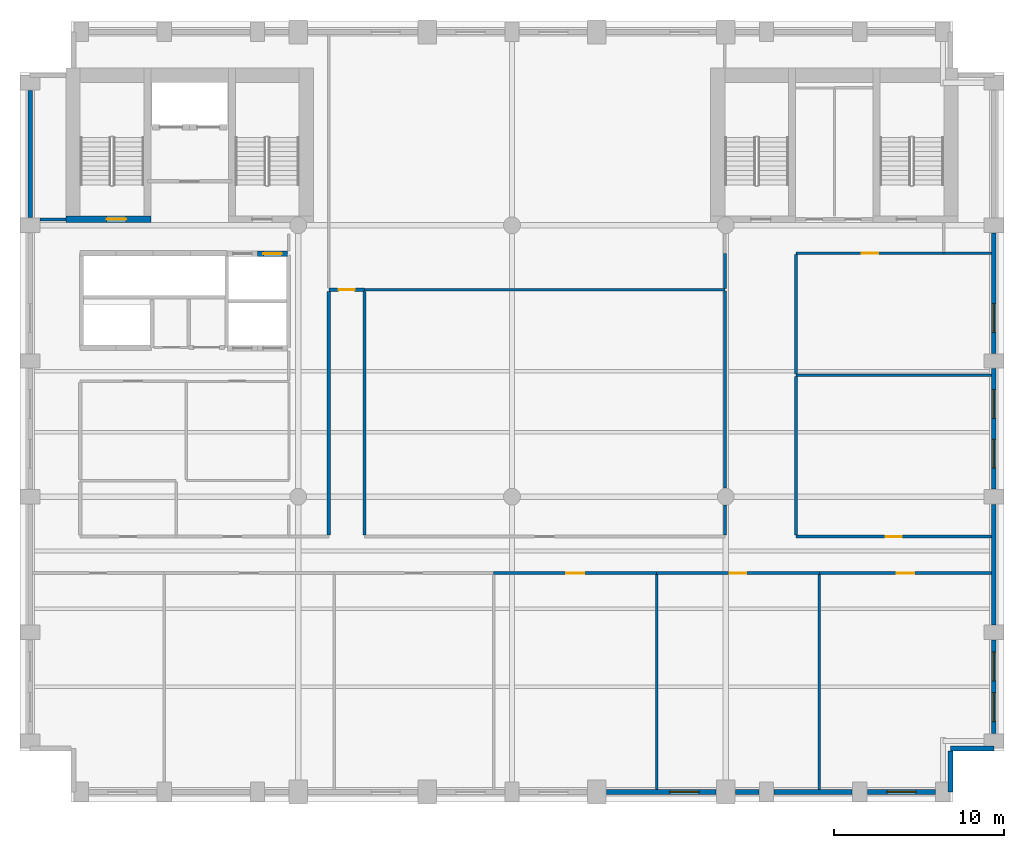
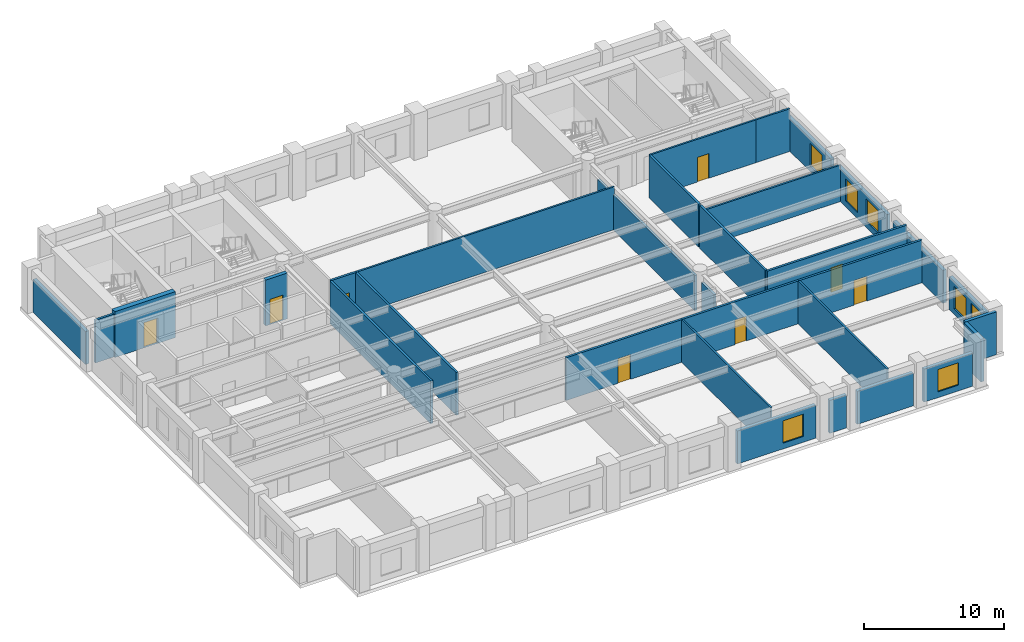
# One storey, part 4 of 8: 32 walls, 8 doors, 7 windows, 15 openings.
"""IFC4 building model written with IfcOpenShell, lengths in metres."""

import ifcopenshell
import ifcopenshell.guid

model = None  # the IFC model being written
_history = None  # IfcOwnerHistory: only IFC2X3 demands one
_inside = {}  # id of a spatial element -> (the spatial element, [elements in it])
_under = {}  # id of a project, library or spatial element -> (it, [spatial elements below it])
_declared = {}  # id of a project -> (the project, [libraries it declares])
_typed = {}  # id of a type object -> (the type object, [elements of that type])
_made_of = {}  # id of a material, layer set ... -> (it, [elements and type objects made of it])


def new_model(schema):
    """Start an empty IFC model of exactly this schema.

    Asked for "IFC4X3", IfcOpenShell would pick the latest addendum, in which some entities
    have other attributes; the version numbers below select the first issue.
    IFC2X3 requires an IfcOwnerHistory on every rooted entity: one is made here for all.
    """
    global model, _history
    if schema == "IFC4X3":
        model = ifcopenshell.file(schema_version=(4, 3, 0, 0))
    else:
        model = ifcopenshell.file(schema=schema)
    _inside.clear()
    _under.clear()
    _declared.clear()
    _typed.clear()
    _made_of.clear()
    _history = None
    if model.schema == "IFC2X3":
        org = make("IfcOrganization", Name="unknown")
        user = make(
            "IfcPersonAndOrganization",
            ThePerson=make("IfcPerson", FamilyName="unknown"),
            TheOrganization=org,
        )
        app = make(
            "IfcApplication",
            ApplicationDeveloper=org,
            Version="unknown",
            ApplicationFullName="unknown",
            ApplicationIdentifier="unknown",
        )
        _history = make(
            "IfcOwnerHistory",
            OwningUser=user,
            OwningApplication=app,
            ChangeAction="ADDED",
            CreationDate=0,
        )
    return model


def make(cls, **values):
    """One entity of the class cls with the attributes given. An attribute that is None is left unset."""
    return model.create_entity(
        cls, **{name: value for name, value in values.items() if value is not None}
    )


def rooted(cls, **values):
    """An entity with a GlobalId (a new one), such as an element, a storey or a relation."""
    return make(cls, GlobalId=ifcopenshell.guid.new(), OwnerHistory=_history, **values)


def si_unit(unit_type, name, prefix=None):
    """IfcSIUnit, for example si_unit("LENGTHUNIT", "METRE", prefix="MILLI")."""
    return make("IfcSIUnit", UnitType=unit_type, Prefix=prefix, Name=name)


def assignment(units):
    """IfcUnitAssignment: the units of a project."""
    return None if units is None else make("IfcUnitAssignment", Units=units)


def point(xyz):
    """IfcCartesianPoint."""
    return None if xyz is None else make("IfcCartesianPoint", Coordinates=xyz)


def direction(xyz):
    """IfcDirection."""
    return None if xyz is None else make("IfcDirection", DirectionRatios=xyz)


def frame(location, z_axis=None, x_axis=None):
    """IfcAxis2Placement3D, a coordinate frame: its origin and axes. An axis left out is left unset."""
    return make(
        "IfcAxis2Placement3D",
        Location=point(location),
        Axis=direction(z_axis),
        RefDirection=direction(x_axis),
    )


def frame_2d(location, x_axis=None):
    """IfcAxis2Placement2D, a coordinate frame in the plane: its origin and x axis."""
    return make(
        "IfcAxis2Placement2D", Location=point(location), RefDirection=direction(x_axis)
    )


def origin():
    """The frame at (0, 0, 0) with its axes left unset."""
    return frame((0.0, 0.0, 0.0))


def place(relative_to, where):
    """IfcLocalPlacement: puts the frame where relative to a parent placement (None: the world)."""
    return make(
        "IfcLocalPlacement", PlacementRelTo=relative_to, RelativePlacement=where
    )


def context(
    kind, dimensions, precision=None, world=None, true_north=None, identifier=None
):
    """IfcGeometricRepresentationContext, for example the 3D "Model" context."""
    return make(
        "IfcGeometricRepresentationContext",
        ContextIdentifier=identifier,
        ContextType=kind,
        CoordinateSpaceDimension=dimensions,
        Precision=precision,
        WorldCoordinateSystem=world,
        TrueNorth=true_north,
    )


def subcontext(parent, identifier, kind, view, scale=None):
    """IfcGeometricRepresentationSubContext, for example "Body" below "Model"."""
    return make(
        "IfcGeometricRepresentationSubContext",
        ContextIdentifier=identifier,
        ContextType=kind,
        ParentContext=parent,
        TargetScale=scale,
        TargetView=view,
    )


def project(units=None, contexts=None):
    """IfcProject with its units and contexts."""
    return rooted(
        "IfcProject",
        Name="project",
        RepresentationContexts=contexts,
        UnitsInContext=assignment(units),
    )


def spatial(cls, under=None, at=None, **own):
    """A site, building, storey or space (cls), placed at a placement, below another one or the project."""
    s = rooted(cls, ObjectPlacement=at, **own)
    if under is not None:
        _under.setdefault(under.id(), (under, []))[1].append(s)
    return s


def profile(cls, at=None, kind="AREA", **sizes):
    """A parametric profile (cls). Its sizes go by their IFC names, for example OverallWidth=200.0."""
    return make(cls, ProfileType=kind, Position=at, **sizes)


def rectangle(**sizes):
    """IfcRectangleProfileDef."""
    return profile("IfcRectangleProfileDef", **sizes)


def extrude(swept, where, along, depth):
    """IfcExtrudedAreaSolid: the profile swept, set in the frame where, extruded along a direction by depth."""
    return make(
        "IfcExtrudedAreaSolid",
        SweptArea=swept,
        Position=where,
        ExtrudedDirection=direction(along),
        Depth=depth,
    )


def shape(context_of_items, identifier, shape_type, items):
    """IfcShapeRepresentation: the items that make up one representation, for example the "Body"."""
    return make(
        "IfcShapeRepresentation",
        ContextOfItems=context_of_items,
        RepresentationIdentifier=identifier,
        RepresentationType=shape_type,
        Items=items,
    )


def material(Name=None, Category=None):
    """IfcMaterial."""
    return make("IfcMaterial", Name=Name, Category=Category)


def layer(
    of_material, thickness, ventilated=None, Name=None, Category=None, Priority=None
):
    """IfcMaterialLayer: one layer of a wall or slab, of a material (None: an air gap)."""
    return make(
        "IfcMaterialLayer",
        Material=of_material,
        LayerThickness=thickness,
        IsVentilated=ventilated,
        Name=Name,
        Category=Category,
        Priority=Priority,
    )


def layer_set(layers, Name=None):
    """IfcMaterialLayerSet."""
    return make("IfcMaterialLayerSet", MaterialLayers=layers, LayerSetName=Name)


def made_of(thing, what):
    """Note that an element or type object is made of a material, layer set ...; save() writes the relation."""
    if what is not None:
        _made_of.setdefault(what.id(), (what, []))[1].append(thing)
    return thing


def type_object(cls, material=None, **own):
    """A type object (cls), such as IfcWallType, which elements share."""
    return made_of(rooted(cls, **own), material)


def element(
    cls,
    number,
    at=None,
    inside=None,
    cuts=None,
    type_object=None,
    material=None,
    context=None,
    identifier="Body",
    shape_type=None,
    held_by="IfcProductDefinitionShape",
    body=None,
    shapes=None,
    **own,
):
    """One element of the class cls, such as IfcWall. Its Tag is "e" and its number.

    at: its placement. inside: the storey or other place that contains it. cuts: it is an
    opening in that element (IfcRelVoidsElement). A single representation is given by context,
    identifier, shape_type and body (its items); several are given by shapes. held_by: the class
    of the entity that holds the representations. save() writes the other relations.
    """
    e = rooted(cls, Tag="e%d" % number, ObjectPlacement=at, **own)
    if body is not None:
        shapes = [shape(context, identifier, shape_type, body)]
    if shapes is not None:
        e.Representation = make(held_by, Representations=shapes)
    if inside is not None:
        _inside.setdefault(inside.id(), (inside, []))[1].append(e)
    if cuts is not None:
        rooted(
            "IfcRelVoidsElement", RelatingBuildingElement=cuts, RelatedOpeningElement=e
        )
    if type_object is not None:
        _typed.setdefault(type_object.id(), (type_object, []))[1].append(e)
    return made_of(e, material)


def fill(opening, filler):
    """IfcRelFillsElement: the door or window that sits in an opening."""
    return rooted(
        "IfcRelFillsElement",
        RelatingOpeningElement=opening,
        RelatedBuildingElement=filler,
    )


def aggregate(whole, parts):
    """IfcRelAggregates: a whole, such as a stair, and the parts it consists of."""
    return rooted("IfcRelAggregates", RelatingObject=whole, RelatedObjects=parts)


def save(model, path):
    """Write the relations noted so far, then the file.

    IfcRelAggregates (storeys below a building ...), IfcRelContainedInSpatialStructure (elements
    in a storey), IfcRelDefinesByType, IfcRelAssociatesMaterial and IfcRelDeclares: one each for
    every whole, place, type object, material and project.
    """
    for whole, parts in _under.values():
        aggregate(whole, parts)
    for where, things in _inside.values():
        rooted(
            "IfcRelContainedInSpatialStructure",
            RelatedElements=things,
            RelatingStructure=where,
        )
    for kind, things in _typed.values():
        rooted("IfcRelDefinesByType", RelatedObjects=things, RelatingType=kind)
    for what, things in _made_of.values():
        rooted("IfcRelAssociatesMaterial", RelatedObjects=things, RelatingMaterial=what)
    for by, libraries in _declared.values():
        rooted("IfcRelDeclares", RelatingContext=by, RelatedDefinitions=libraries)
    model.write(path)


model = new_model("IFC4")

# Units and contexts
model_context = context("Model", 3, precision=1e-05, world=origin(), true_north=direction((0.0, 1.0)))
body_context = subcontext(model_context, "Body", "Model", "MODEL_VIEW")
ifc_project = project(units=[si_unit("LENGTHUNIT", "METRE"), si_unit("AREAUNIT", "SQUARE_METRE"), si_unit("VOLUMEUNIT", "CUBIC_METRE"), si_unit("PLANEANGLEUNIT", "RADIAN"), si_unit("MASSUNIT", "GRAM", prefix="KILO")], contexts=[model_context])

# Site, building, storey
site_placement = place(None, origin())
site = spatial("IfcSite", under=ifc_project, at=site_placement, CompositionType="ELEMENT")
building_placement = place(site_placement, origin())
building = spatial("IfcBuilding", under=site, at=building_placement, Name="Sulina Concourse Tower", CompositionType="ELEMENT")
storey_placement = place(building_placement, frame((0.0, 0.0, 104.60009765625)))
storey = spatial("IfcBuildingStorey", under=building, at=storey_placement, Name="L25", CompositionType="ELEMENT", Elevation=104.60009765625)

# Wall, opening, door
ifc_material_1 = material(Name="Concrete C50/60", Category="concrete")
ifc_layer_1 = layer(ifc_material_1, 0.300048828125)
ifc_layer_set_1 = layer_set([ifc_layer_1], Name="Concrete C50/60")
wall_type_1 = type_object("IfcWallType", Name="Core Lift Hoistway Wall 300mm", PredefinedType="SOLIDWALL", material=ifc_layer_set_1)
wall_1_placement = place(storey_placement, frame((14.0, 32.320068359375, 0.0), z_axis=(0.0, 0.0, 1.0), x_axis=(1.0, 0.0, 0.0)))
wall_1 = element("IfcWall", 1, at=wall_1_placement, inside=storey, type_object=wall_type_1, Name="L25 hoistway enclosure wall LP-08", PredefinedType="SOLIDWALL", context=body_context, shape_type="SweptSolid", body=[
    extrude(rectangle(XDim=1.780029296875, YDim=0.300048828125, at=frame_2d((0.89013671875, 0.0))), origin(), (0.0, 0.0, 1.0), 4.0),
])
opening_1_placement = place(wall_1_placement, frame((0.340087890625, 0.0, 0.0)))
opening_1 = element("IfcOpeningElement", 2, at=opening_1_placement, cuts=wall_1, Name="Opening LD-01", PredefinedType="OPENING", context=body_context, shape_type="SweptSolid", body=[
    extrude(rectangle(XDim=1.10009765625, YDim=2.199951171875, at=frame_2d((0.550048828125, 1.10009765625))), frame((0.0, 0.159912109375, 0.0), z_axis=(0.0, -1.0, 0.0), x_axis=(1.0, 0.0, 0.0)), (0.0, 0.0, 1.0), 0.320068359375),
])
ifc_material_2 = material(Name="Stainless steel lift landing door", Category="steel")
ifc_layer_2 = layer(ifc_material_2, 0.050048828125)
ifc_layer_set_2 = layer_set([ifc_layer_2], Name="Stainless steel lift landing door")
door_type_1 = type_object("IfcDoorType", Name="Passenger Lift Sliding Landing Door 1100x2200", OperationType="SLIDING_TO_LEFT", PredefinedType="DOOR", material=ifc_layer_set_2)
door_1_placement = place(opening_1_placement, origin())
door_1 = element("IfcDoor", 3, at=door_1_placement, inside=storey, type_object=door_type_1, Name="L25 lift landing sliding door LP-08", OperationType="SLIDING_TO_RIGHT", OverallHeight=2.199951171875, OverallWidth=1.10009765625, PredefinedType="DOOR", context=body_context, shape_type="SweptSolid", body=[
    extrude(rectangle(XDim=1.10009765625, YDim=2.199951171875, at=frame_2d((0.550048828125, 1.10009765625))), frame((0.0, 0.02490234375, 0.0), z_axis=(0.0, -1.0, 0.0), x_axis=(1.0, 0.0, 0.0)), (0.0, 0.0, 1.0), 0.050048828125),
])
fill(opening_1, door_1)

# Walls
ifc_material_3 = material(Name="Gypsum board on steel stud", Category="steel")
ifc_layer_3 = layer(ifc_material_3, 0.14990234375)
ifc_layer_set_3 = layer_set([ifc_layer_3], Name="Gypsum board on steel stud")
wall_type_2 = type_object("IfcWallType", Name="Inter-Tenancy Acoustic Partition 150mm", PredefinedType="PARTITIONING", material=ifc_layer_set_3)
wall_2_placement = place(storey_placement, frame((45.75, 25.14990234375, 0.0), z_axis=(0.0, 0.0, 1.0), x_axis=(1.0, 0.0, 0.0)))
element("IfcWall", 4, at=wall_2_placement, inside=storey, type_object=wall_type_2, Name="L25 interior partition 016", PredefinedType="PARTITIONING", context=body_context, shape_type="SweptSolid", body=[
    extrude(rectangle(XDim=11.510009765625, YDim=0.14990234375, at=frame_2d((5.7548828125, 0.0))), origin(), (0.0, 0.0, 1.0), 3.169921875),
])
wall_3_placement = place(storey_placement, frame((20.300048828125, 30.199951171875, 0.0), z_axis=(0.0, 0.0, 1.0), x_axis=(1.0, 0.0, 0.0)))
element("IfcWall", 5, at=wall_3_placement, inside=storey, type_object=wall_type_2, Name="L25 interior partition 020", PredefinedType="PARTITIONING", context=body_context, shape_type="SweptSolid", body=[
    extrude(rectangle(XDim=21.25, YDim=0.14990234375, at=frame_2d((10.625, 0.0))), origin(), (0.0, 0.0, 1.0), 3.724853515625),
])

# Wall, opening, door
wall_4_placement = place(storey_placement, frame((45.75, 32.35009765625, 0.0), z_axis=(0.0, 0.0, 1.0), x_axis=(1.0, 0.0, 0.0)))
wall_4 = element("IfcWall", 6, at=wall_4_placement, inside=storey, type_object=wall_type_2, Name="L25 interior partition 021", PredefinedType="PARTITIONING", context=body_context, shape_type="SweptSolid", body=[
    extrude(rectangle(XDim=8.699951171875, YDim=0.14990234375, at=frame_2d((4.35009765625, 0.0))), origin(), (0.0, 0.0, 1.0), 3.724853515625),
])
opening_2_placement = place(wall_4_placement, frame((3.875, 0.0, 0.0)))
opening_2 = element("IfcOpeningElement", 7, at=opening_2_placement, cuts=wall_4, Name="Opening DR-19", PredefinedType="OPENING", context=body_context, shape_type="SweptSolid", body=[
    extrude(rectangle(XDim=0.949951171875, YDim=2.14990234375, at=frame_2d((0.47509765625, 1.074951171875))), frame((0.0, 0.0849609375, 0.0), z_axis=(0.0, -1.0, 0.0), x_axis=(1.0, 0.0, 0.0)), (0.0, 0.0, 1.0), 0.169921875),
])
ifc_material_4 = material(Name="Oak-veneered acoustic timber leaf", Category="wood")
ifc_layer_4 = layer(ifc_material_4, 0.050048828125)
ifc_layer_set_4 = layer_set([ifc_layer_4], Name="Oak-veneered acoustic timber leaf")
door_type_2 = type_object("IfcDoorType", Name="Cellular Office & Meeting Door 950x2150", OperationType="NOTDEFINED", PredefinedType="DOOR", material=ifc_layer_set_4)
door_2_placement = place(opening_2_placement, origin())
door_2 = element("IfcDoor", 8, at=door_2_placement, inside=storey, type_object=door_type_2, Name="L25 interior door L25-NE2", OperationType="SINGLE_SWING_LEFT", OverallHeight=2.14990234375, OverallWidth=0.949951171875, PredefinedType="DOOR", context=body_context, shape_type="SweptSolid", body=[
    extrude(rectangle(XDim=0.949951171875, YDim=2.14990234375, at=frame_2d((0.47509765625, 1.074951171875))), frame((0.0, 0.02490234375, 0.0), z_axis=(0.0, -1.0, 0.0), x_axis=(1.0, 0.0, 0.0)), (0.0, 0.0, 1.0), 0.050048828125),
])
fill(opening_2, door_2)

# Walls
wall_5_placement = place(storey_placement, frame((54.449951171875, 32.35009765625, 0.0), z_axis=(0.0, 0.0, 1.0), x_axis=(1.0, 0.0, 0.0)))
element("IfcWall", 9, at=wall_5_placement, inside=storey, type_object=wall_type_2, Name="L25 interior partition 022", PredefinedType="PARTITIONING", context=body_context, shape_type="SweptSolid", body=[
    extrude(rectangle(XDim=2.81005859375, YDim=0.14990234375, at=frame_2d((1.405029296875, 0.0))), origin(), (0.0, 0.0, 1.0), 3.724853515625),
])
for number, where, z_axis, x_axis, name in (
    (10, (37.52001953125, 0.739990234375, 0.0), (0.0, 0.0, 1.0), (0.0, 1.0, 0.0), "L25 interior partition 041"),
    (11, (47.1201171875, 0.739990234375, 0.0), (0.0, 0.0, 1.0), (0.0, 1.0, 0.0), "L25 interior partition 049"),
):
    element("IfcWall", number, at=place(storey_placement, frame(where, z_axis=z_axis, x_axis=x_axis)), inside=storey, type_object=wall_type_2, Name=name, PredefinedType="PARTITIONING", context=body_context, shape_type="SweptSolid", body=[
        extrude(rectangle(XDim=12.669921875, YDim=0.14990234375, at=frame_2d((6.3349609375, 0.0))), origin(), (0.0, 0.0, 1.0), 3.724853515625),
    ])

# Wall, opening, door
ifc_material_5 = material(Name="Gypsum board on steel stud", Category="steel")
ifc_layer_5 = layer(ifc_material_5, 0.179931640625)
ifc_layer_set_5 = layer_set([ifc_layer_5], Name="Gypsum board on steel stud")
wall_type_3 = type_object("IfcWallType", Name="Protected Corridor & Riser Partition 180mm", PredefinedType="PARTITIONING", material=ifc_layer_set_5)
wall_6_placement = place(storey_placement, frame((27.919921875, 13.5, 0.0), z_axis=(0.0, 0.0, 1.0), x_axis=(1.0, 0.0, 0.0)))
wall_6 = element("IfcWall", 12, at=wall_6_placement, inside=storey, type_object=wall_type_3, Name="L25 interior partition 004", PredefinedType="PARTITIONING", context=body_context, shape_type="SweptSolid", body=[
    extrude(rectangle(XDim=9.60009765625, YDim=0.179931640625, at=frame_2d((4.800048828125, 0.0))), origin(), (0.0, 0.0, 1.0), 3.724853515625),
])
opening_3_placement = place(wall_6_placement, frame((4.27490234375, 0.0, 0.0)))
opening_3 = element("IfcOpeningElement", 13, at=opening_3_placement, cuts=wall_6, Name="Opening DR-37", PredefinedType="OPENING", context=body_context, shape_type="SweptSolid", body=[
    extrude(rectangle(XDim=1.050048828125, YDim=2.14990234375, at=frame_2d((0.52490234375, 1.074951171875))), frame((0.0, 0.099853515625, 0.0), z_axis=(0.0, -1.0, 0.0), x_axis=(1.0, 0.0, 0.0)), (0.0, 0.0, 1.0), 0.199951171875),
])
ifc_material_6 = material(Name="Oak-veneered fire door leaf")
ifc_layer_6 = layer(ifc_material_6, 0.050048828125)
ifc_layer_set_6 = layer_set([ifc_layer_6], Name="Oak-veneered fire door leaf")
door_type_3 = type_object("IfcDoorType", Name="Tenant Suite Entrance Fire Door 1050x2150", OperationType="NOTDEFINED", PredefinedType="DOOR", material=ifc_layer_set_6)
door_3_placement = place(opening_3_placement, origin())
door_3 = element("IfcDoor", 14, at=door_3_placement, inside=storey, type_object=door_type_3, Name="L25 interior door L25-S04", OperationType="SINGLE_SWING_RIGHT", OverallHeight=2.14990234375, OverallWidth=1.050048828125, PredefinedType="DOOR", context=body_context, shape_type="SweptSolid", body=[
    extrude(rectangle(XDim=1.050048828125, YDim=2.14990234375, at=frame_2d((0.52490234375, 1.074951171875))), frame((0.0, 0.02490234375, 0.0), z_axis=(0.0, -1.0, 0.0), x_axis=(1.0, 0.0, 0.0)), (0.0, 0.0, 1.0), 0.050048828125),
])
fill(opening_3, door_3)

wall_7_placement = place(storey_placement, frame((37.52001953125, 13.5, 0.0), z_axis=(0.0, 0.0, 1.0), x_axis=(1.0, 0.0, 0.0)))
wall_7 = element("IfcWall", 15, at=wall_7_placement, inside=storey, type_object=wall_type_3, Name="L25 interior partition 005", PredefinedType="PARTITIONING", context=body_context, shape_type="SweptSolid", body=[
    extrude(rectangle(XDim=9.60009765625, YDim=0.179931640625, at=frame_2d((4.800048828125, 0.0))), origin(), (0.0, 0.0, 1.0), 3.724853515625),
])
opening_4_placement = place(wall_7_placement, frame((4.324951171875, 0.0, 0.0)))
opening_4 = element("IfcOpeningElement", 16, at=opening_4_placement, cuts=wall_7, Name="Opening DR-19", PredefinedType="OPENING", context=body_context, shape_type="SweptSolid", body=[
    extrude(rectangle(XDim=0.949951171875, YDim=2.14990234375, at=frame_2d((0.47509765625, 1.074951171875))), frame((0.0, 0.099853515625, 0.0), z_axis=(0.0, -1.0, 0.0), x_axis=(1.0, 0.0, 0.0)), (0.0, 0.0, 1.0), 0.199951171875),
])
door_4_placement = place(opening_4_placement, origin())
door_4 = element("IfcDoor", 17, at=door_4_placement, inside=storey, type_object=door_type_2, Name="L25 interior door L25-S05", OperationType="SINGLE_SWING_LEFT", OverallHeight=2.14990234375, OverallWidth=0.949951171875, PredefinedType="DOOR", context=body_context, shape_type="SweptSolid", body=[
    extrude(rectangle(XDim=0.949951171875, YDim=2.14990234375, at=frame_2d((0.47509765625, 1.074951171875))), frame((0.0, 0.02490234375, 0.0), z_axis=(0.0, -1.0, 0.0), x_axis=(1.0, 0.0, 0.0)), (0.0, 0.0, 1.0), 0.050048828125),
])
fill(opening_4, door_4)

wall_8_placement = place(storey_placement, frame((47.1201171875, 13.5, 0.0), z_axis=(0.0, 0.0, 1.0), x_axis=(1.0, 0.0, 0.0)))
wall_8 = element("IfcWall", 18, at=wall_8_placement, inside=storey, type_object=wall_type_3, Name="L25 interior partition 006", PredefinedType="PARTITIONING", context=body_context, shape_type="SweptSolid", body=[
    extrude(rectangle(XDim=10.139892578125, YDim=0.179931640625, at=frame_2d((5.06982421875, 0.0))), origin(), (0.0, 0.0, 1.0), 3.724853515625),
])
opening_5_placement = place(wall_8_placement, frame((4.544921875, 0.0, 0.0)))
opening_5 = element("IfcOpeningElement", 19, at=opening_5_placement, cuts=wall_8, Name="Opening DR-37", PredefinedType="OPENING", context=body_context, shape_type="SweptSolid", body=[
    extrude(rectangle(XDim=1.050048828125, YDim=2.14990234375, at=frame_2d((0.52490234375, 1.074951171875))), frame((0.0, 0.099853515625, 0.0), z_axis=(0.0, -1.0, 0.0), x_axis=(1.0, 0.0, 0.0)), (0.0, 0.0, 1.0), 0.199951171875),
])
door_5_placement = place(opening_5_placement, origin())
door_5 = element("IfcDoor", 20, at=door_5_placement, inside=storey, type_object=door_type_3, Name="L25 interior door L25-S06", OperationType="SINGLE_SWING_RIGHT", OverallHeight=2.14990234375, OverallWidth=1.050048828125, PredefinedType="DOOR", context=body_context, shape_type="SweptSolid", body=[
    extrude(rectangle(XDim=1.050048828125, YDim=2.14990234375, at=frame_2d((0.52490234375, 1.074951171875))), frame((0.0, 0.02490234375, 0.0), z_axis=(0.0, -1.0, 0.0), x_axis=(1.0, 0.0, 0.0)), (0.0, 0.0, 1.0), 0.050048828125),
])
fill(opening_5, door_5)

wall_9_placement = place(storey_placement, frame((45.75, 15.64990234375, 0.0), z_axis=(0.0, 0.0, 1.0), x_axis=(1.0, 0.0, 0.0)))
wall_9 = element("IfcWall", 21, at=wall_9_placement, inside=storey, type_object=wall_type_3, Name="L25 interior partition 011", PredefinedType="PARTITIONING", context=body_context, shape_type="SweptSolid", body=[
    extrude(rectangle(XDim=11.510009765625, YDim=0.179931640625, at=frame_2d((5.7548828125, 0.0))), origin(), (0.0, 0.0, 1.0), 3.724853515625),
])
opening_6_placement = place(wall_9_placement, frame((5.280029296875, 0.0, 0.0)))
opening_6 = element("IfcOpeningElement", 22, at=opening_6_placement, cuts=wall_9, Name="Opening DR-19", PredefinedType="OPENING", context=body_context, shape_type="SweptSolid", body=[
    extrude(rectangle(XDim=0.949951171875, YDim=2.14990234375, at=frame_2d((0.47509765625, 1.074951171875))), frame((0.0, 0.099853515625, 0.0), z_axis=(0.0, -1.0, 0.0), x_axis=(1.0, 0.0, 0.0)), (0.0, 0.0, 1.0), 0.199951171875),
])
door_6_placement = place(opening_6_placement, origin())
door_6 = element("IfcDoor", 23, at=door_6_placement, inside=storey, type_object=door_type_2, Name="L25 interior door L25-NE1", OperationType="SINGLE_SWING_RIGHT", OverallHeight=2.14990234375, OverallWidth=0.949951171875, PredefinedType="DOOR", context=body_context, shape_type="SweptSolid", body=[
    extrude(rectangle(XDim=0.949951171875, YDim=2.14990234375, at=frame_2d((0.47509765625, 1.074951171875))), frame((0.0, 0.02490234375, 0.0), z_axis=(0.0, -1.0, 0.0), x_axis=(1.0, 0.0, 0.0)), (0.0, 0.0, 1.0), 0.050048828125),
])
fill(opening_6, door_6)

wall_10_placement = place(storey_placement, frame((18.199951171875, 30.199951171875, 0.0), z_axis=(0.0, 0.0, 1.0), x_axis=(1.0, 0.0, 0.0)))
wall_10 = element("IfcWall", 24, at=wall_10_placement, inside=storey, type_object=wall_type_3, Name="L25 interior partition 019", PredefinedType="PARTITIONING", context=body_context, shape_type="SweptSolid", body=[
    extrude(rectangle(XDim=2.10009765625, YDim=0.179931640625, at=frame_2d((1.050048828125, 0.0))), origin(), (0.0, 0.0, 1.0), 3.724853515625),
])
opening_7_placement = place(wall_10_placement, frame((0.574951171875, 0.0, 0.0)))
opening_7 = element("IfcOpeningElement", 25, at=opening_7_placement, cuts=wall_10, Name="Opening DR-19", PredefinedType="OPENING", context=body_context, shape_type="SweptSolid", body=[
    extrude(rectangle(XDim=0.949951171875, YDim=2.14990234375, at=frame_2d((0.47509765625, 1.074951171875))), frame((0.0, 0.099853515625, 0.0), z_axis=(0.0, -1.0, 0.0), x_axis=(1.0, 0.0, 0.0)), (0.0, 0.0, 1.0), 0.199951171875),
])
door_7_placement = place(opening_7_placement, origin())
door_7 = element("IfcDoor", 26, at=door_7_placement, inside=storey, type_object=door_type_2, Name="L25 interior door L25-NC4", OperationType="SINGLE_SWING_RIGHT", OverallHeight=2.14990234375, OverallWidth=0.949951171875, PredefinedType="DOOR", context=body_context, shape_type="SweptSolid", body=[
    extrude(rectangle(XDim=0.949951171875, YDim=2.14990234375, at=frame_2d((0.47509765625, 1.074951171875))), frame((0.0, 0.02490234375, 0.0), z_axis=(0.0, -1.0, 0.0), x_axis=(1.0, 0.0, 0.0)), (0.0, 0.0, 1.0), 0.050048828125),
])
fill(opening_7, door_7)

# Walls
wall_11_placement = place(storey_placement, frame((1.175048828125, 34.35009765625, 0.0), z_axis=(0.0, 0.0, 1.0), x_axis=(1.0, 0.0, 0.0)))
element("IfcWall", 27, at=wall_11_placement, inside=storey, type_object=wall_type_3, Name="L25 interior partition 023", PredefinedType="PARTITIONING", context=body_context, shape_type="SweptSolid", body=[
    extrude(rectangle(XDim=1.52490234375, YDim=0.179931640625, at=frame_2d((0.762451171875, 0.0))), origin(), (0.0, 0.0, 1.0), 3.724853515625),
])
for number, where, z_axis, x_axis, name in (
    (28, (18.199951171875, 15.739990234375, 0.0), (0.0, 0.0, 1.0), (0.0, 1.0, 0.0), "L25 interior partition 036"),
    (29, (20.300048828125, 15.739990234375, 0.0), (0.0, 0.0, 1.0), (0.0, 1.0, 0.0), "L25 interior partition 039"),
):
    element("IfcWall", number, at=place(storey_placement, frame(where, z_axis=z_axis, x_axis=x_axis)), inside=storey, type_object=wall_type_3, Name=name, PredefinedType="PARTITIONING", context=body_context, shape_type="SweptSolid", body=[
        extrude(rectangle(XDim=14.3701171875, YDim=0.179931640625, at=frame_2d((7.18505859375, 0.0))), origin(), (0.0, 0.0, 1.0), 3.724853515625),
    ])
wall_12_placement = place(storey_placement, frame((41.550048828125, 15.739990234375, 0.0), z_axis=(0.0, 0.0, 1.0), x_axis=(0.0, 1.0, 0.0)))
element("IfcWall", 30, at=wall_12_placement, inside=storey, type_object=wall_type_3, Name="L25 interior partition 042", PredefinedType="PARTITIONING", context=body_context, shape_type="SweptSolid", body=[
    extrude(rectangle(XDim=1.760009765625, YDim=0.179931640625, at=frame_2d((0.8798828125, 0.0))), origin(), (0.0, 0.0, 1.0), 3.06982421875),
])
wall_13_placement = place(storey_placement, frame((41.550048828125, 18.5, 0.0), z_axis=(0.0, 0.0, 1.0), x_axis=(0.0, 1.0, 0.0)))
element("IfcWall", 31, at=wall_13_placement, inside=storey, type_object=wall_type_3, Name="L25 interior partition 043", PredefinedType="PARTITIONING", context=body_context, shape_type="SweptSolid", body=[
    extrude(rectangle(XDim=11.625, YDim=0.179931640625, at=frame_2d((5.8125, 0.0))), origin(), (0.0, 0.0, 1.0), 3.06982421875),
])
wall_14_placement = place(storey_placement, frame((41.550048828125, 30.27490234375, 0.0), z_axis=(0.0, 0.0, 1.0), x_axis=(0.0, 1.0, 0.0)))
element("IfcWall", 32, at=wall_14_placement, inside=storey, type_object=wall_type_3, Name="L25 interior partition 044", PredefinedType="PARTITIONING", context=body_context, shape_type="SweptSolid", body=[
    extrude(rectangle(XDim=2.0751953125, YDim=0.179931640625, at=frame_2d((1.03759765625, 0.0))), origin(), (0.0, 0.0, 1.0), 3.06982421875),
])
wall_15_placement = place(storey_placement, frame((45.75, 15.739990234375, 0.0), z_axis=(0.0, 0.0, 1.0), x_axis=(0.0, 1.0, 0.0)))
element("IfcWall", 33, at=wall_15_placement, inside=storey, type_object=wall_type_3, Name="L25 interior partition 047", PredefinedType="PARTITIONING", context=body_context, shape_type="SweptSolid", body=[
    extrude(rectangle(XDim=9.3349609375, YDim=0.179931640625, at=frame_2d((4.66748046875, 0.0))), origin(), (0.0, 0.0, 1.0), 3.724853515625),
])
wall_16_placement = place(storey_placement, frame((45.75, 25.22509765625, 0.0), z_axis=(0.0, 0.0, 1.0), x_axis=(0.0, 1.0, 0.0)))
element("IfcWall", 34, at=wall_16_placement, inside=storey, type_object=wall_type_3, Name="L25 interior partition 048", PredefinedType="PARTITIONING", context=body_context, shape_type="SweptSolid", body=[
    extrude(rectangle(XDim=7.0498046875, YDim=0.179931640625, at=frame_2d((3.52490234375, 0.0))), origin(), (0.0, 0.0, 1.0), 3.724853515625),
])

# Wall, opening, door
ifc_material_7 = material(Name="Concrete C60/75", Category="concrete")
ifc_layer_7 = layer(ifc_material_7, 0.39990234375)
ifc_layer_set_7 = layer_set([ifc_layer_7], Name="Concrete C60/75")
wall_type_4 = type_object("IfcWallType", Name="Protected Stair Core Shear Wall 400mm", PredefinedType="SHEAR", material=ifc_layer_set_7)
wall_17_placement = place(storey_placement, frame((2.699951171875, 34.35009765625, 0.0), z_axis=(0.0, 0.0, 1.0), x_axis=(1.0, 0.0, 0.0)))
wall_17 = element("IfcWall", 35, at=wall_17_placement, inside=storey, type_object=wall_type_4, Name="L25 west core shear wall CW-WS1", PredefinedType="SHEAR", context=body_context, shape_type="SweptSolid", body=[
    extrude(rectangle(XDim=5.010009765625, YDim=0.39990234375, at=frame_2d((2.5048828125, 0.0))), origin(), (0.0, 0.0, 1.0), 4.0),
])
opening_8_placement = place(wall_17_placement, frame((2.39990234375, 0.0, 0.0)))
opening_8 = element("IfcOpeningElement", 36, at=opening_8_placement, cuts=wall_17, Name="Opening DR-60", PredefinedType="OPENING", context=body_context, shape_type="SweptSolid", body=[
    extrude(rectangle(XDim=1.14990234375, YDim=2.199951171875, at=frame_2d((0.574951171875, 1.10009765625))), frame((0.0, 0.2099609375, 0.0), z_axis=(0.0, -1.0, 0.0), x_axis=(1.0, 0.0, 0.0)), (0.0, 0.0, 1.0), 0.419921875),
])
ifc_material_8 = material(Name="Galvanised steel acoustic fire leaf", Category="steel")
ifc_layer_8 = layer(ifc_material_8, 0.054931640625)
ifc_layer_set_8 = layer_set([ifc_layer_8], Name="Galvanised steel acoustic fire leaf")
door_type_4 = type_object("IfcDoorType", Name="Protected Exit Stair Fire Door 1150x2200", OperationType="NOTDEFINED", PredefinedType="DOOR", material=ifc_layer_set_8)
door_8_placement = place(opening_8_placement, origin())
door_8 = element("IfcDoor", 37, at=door_8_placement, inside=storey, type_object=door_type_4, Name="L25 stair ST-1 lobby fire door", OperationType="SINGLE_SWING_RIGHT", OverallHeight=2.199951171875, OverallWidth=1.14990234375, PredefinedType="DOOR", context=body_context, shape_type="SweptSolid", body=[
    extrude(rectangle(XDim=1.14990234375, YDim=2.199951171875, at=frame_2d((0.574951171875, 1.10009765625))), frame((0.0, 0.02490234375, 0.0), z_axis=(0.0, -1.0, 0.0), x_axis=(1.0, 0.0, 0.0)), (0.0, 0.0, 1.0), 0.050048828125),
])
fill(opening_8, door_8)

# Wall, opening, window
ifc_material_9 = material(Name="Precast concrete C50/60", Category="concrete")
ifc_layer_9 = layer(ifc_material_9, 0.280029296875)
ifc_layer_set_9 = layer_set([ifc_layer_9], Name="Precast concrete C50/60")
wall_type_5 = type_object("IfcWallType", Name="Typical Precast Masonry-Frame Facade Wall 280mm", PredefinedType="SOLIDWALL", material=ifc_layer_set_9)
wall_18_placement = place(storey_placement, frame((41.030029296875, 0.60009765625, 0.0), z_axis=(0.0, 0.0, 1.0), x_axis=(-1.0, 0.0, 0.0)))
wall_18 = element("IfcWall", 38, at=wall_18_placement, inside=storey, type_object=wall_type_5, Name="L25 exterior precast wall S7", PredefinedType="SOLIDWALL", context=body_context, shape_type="SweptSolid", body=[
    extrude(rectangle(XDim=6.4599609375, YDim=0.280029296875, at=frame_2d((3.22998046875, 0.0))), origin(), (0.0, 0.0, 1.0), 2.875),
])
opening_9_placement = place(wall_18_placement, frame((1.02001953125, 0.0, 0.5)))
opening_9 = element("IfcOpeningElement", 39, at=opening_9_placement, cuts=wall_18, Name="Opening WN-66", PredefinedType="OPENING", context=body_context, shape_type="SweptSolid", body=[
    extrude(rectangle(XDim=1.699951171875, YDim=1.949951171875, at=frame_2d((0.85009765625, 0.97509765625))), frame((0.0, 0.14990234375, 0.0), z_axis=(0.0, -1.0, 0.0), x_axis=(1.0, 0.0, 0.0)), (0.0, 0.0, 1.0), 0.300048828125),
])
ifc_material_10 = material(Name="Low-E solar double glazing in bronze aluminium", Category="aluminium")
window_type = type_object("IfcWindowType", Name="Recessed Spandrel Window 1700x1950", PartitioningType="SINGLE_PANEL", PredefinedType="WINDOW", material=ifc_material_10)
window_1_placement = place(opening_9_placement, origin())
window_1 = element("IfcWindow", 40, at=window_1_placement, inside=storey, type_object=window_type, Name="L25 punched window S7-1", OverallHeight=1.949951171875, OverallWidth=1.699951171875, PartitioningType="SINGLE_PANEL", PredefinedType="WINDOW", context=body_context, shape_type="SweptSolid", body=[
    extrude(rectangle(XDim=1.699951171875, YDim=1.949951171875, at=frame_2d((0.85009765625, 0.97509765625))), frame((0.0, 0.030029296875, 0.0), z_axis=(0.0, -1.0, 0.0), x_axis=(1.0, 0.0, 0.0)), (0.0, 0.0, 1.0), 0.06005859375),
])
fill(opening_9, window_1)

# Walls
wall_19_placement = place(storey_placement, frame((43.554931640625, 0.60009765625, 0.0), z_axis=(0.0, 0.0, 1.0), x_axis=(-1.0, 0.0, 0.0)))
element("IfcWall", 41, at=wall_19_placement, inside=storey, type_object=wall_type_5, Name="L25 exterior precast wall S8", PredefinedType="SOLIDWALL", context=body_context, shape_type="SweptSolid", body=[
    extrude(rectangle(XDim=1.385009765625, YDim=0.280029296875, at=frame_2d((0.6923828125, 0.0))), origin(), (0.0, 0.0, 1.0), 2.875),
])
wall_20_placement = place(storey_placement, frame((49.054931640625, 0.60009765625, 0.0), z_axis=(0.0, 0.0, 1.0), x_axis=(-1.0, 0.0, 0.0)))
element("IfcWall", 42, at=wall_20_placement, inside=storey, type_object=wall_type_5, Name="L25 exterior precast wall S9", PredefinedType="SOLIDWALL", context=body_context, shape_type="SweptSolid", body=[
    extrude(rectangle(XDim=4.60986328125, YDim=0.280029296875, at=frame_2d((2.304931640625, 0.0))), origin(), (0.0, 0.0, 1.0), 2.875),
])

# Wall, opening, window
wall_21_placement = place(storey_placement, frame((53.955078125, 0.60009765625, 0.0), z_axis=(0.0, 0.0, 1.0), x_axis=(-1.0, 0.0, 0.0)))
wall_21 = element("IfcWall", 43, at=wall_21_placement, inside=storey, type_object=wall_type_5, Name="L25 exterior precast wall S10", PredefinedType="SOLIDWALL", context=body_context, shape_type="SweptSolid", body=[
    extrude(rectangle(XDim=4.010009765625, YDim=0.280029296875, at=frame_2d((2.0048828125, 0.0))), origin(), (0.0, 0.0, 1.0), 2.875),
])
opening_10_placement = place(wall_21_placement, frame((1.155029296875, 0.0, 0.5)))
opening_10 = element("IfcOpeningElement", 44, at=opening_10_placement, cuts=wall_21, Name="Opening WN-66", PredefinedType="OPENING", context=body_context, shape_type="SweptSolid", body=[
    extrude(rectangle(XDim=1.699951171875, YDim=1.949951171875, at=frame_2d((0.85009765625, 0.97509765625))), frame((0.0, 0.14990234375, 0.0), z_axis=(0.0, -1.0, 0.0), x_axis=(1.0, 0.0, 0.0)), (0.0, 0.0, 1.0), 0.300048828125),
])
window_2_placement = place(opening_10_placement, origin())
window_2 = element("IfcWindow", 45, at=window_2_placement, inside=storey, type_object=window_type, Name="L25 punched window S10-1", OverallHeight=1.949951171875, OverallWidth=1.699951171875, PartitioningType="SINGLE_PANEL", PredefinedType="WINDOW", context=body_context, shape_type="SweptSolid", body=[
    extrude(rectangle(XDim=1.699951171875, YDim=1.949951171875, at=frame_2d((0.85009765625, 0.97509765625))), frame((0.0, 0.030029296875, 0.0), z_axis=(0.0, -1.0, 0.0), x_axis=(1.0, 0.0, 0.0)), (0.0, 0.0, 1.0), 0.06005859375),
])
fill(opening_10, window_2)

# Wall
wall_22_placement = place(storey_placement, frame((0.60009765625, 34.445068359375, 0.0), z_axis=(0.0, 0.0, 1.0), x_axis=(0.0, 1.0, 0.0)))
element("IfcWall", 46, at=wall_22_placement, inside=storey, type_object=wall_type_5, Name="L25 exterior precast wall W5", PredefinedType="SOLIDWALL", context=body_context, shape_type="SweptSolid", body=[
    extrude(rectangle(XDim=7.510009765625, YDim=0.280029296875, at=frame_2d((3.7548828125, 0.0))), origin(), (0.0, 0.0, 1.0), 2.875),
])

# Wall, openings, windows
wall_23_placement = place(storey_placement, frame((57.39990234375, 9.554931640625, 0.0), z_axis=(0.0, 0.0, 1.0), x_axis=(0.0, -1.0, 0.0)))
wall_23 = element("IfcWall", 47, at=wall_23_placement, inside=storey, type_object=wall_type_5, Name="L25 exterior precast wall E1", PredefinedType="SOLIDWALL", context=body_context, shape_type="SweptSolid", body=[
    extrude(rectangle(XDim=5.510009765625, YDim=0.280029296875, at=frame_2d((2.7548828125, 0.0))), origin(), (0.0, 0.0, 1.0), 2.875),
])
opening_11_placement = place(wall_23_placement, frame((0.703369140625, 0.0, 0.5)))
opening_11 = element("IfcOpeningElement", 48, at=opening_11_placement, cuts=wall_23, Name="Opening WN-66", PredefinedType="OPENING", context=body_context, shape_type="SweptSolid", body=[
    extrude(rectangle(XDim=1.699951171875, YDim=1.949951171875, at=frame_2d((0.85009765625, 0.97509765625))), frame((0.0, 0.14990234375, 0.0), z_axis=(0.0, -1.0, 0.0), x_axis=(1.0, 0.0, 0.0)), (0.0, 0.0, 1.0), 0.300048828125),
])
opening_12_placement = place(wall_23_placement, frame((3.106689453125, 0.0, 0.5)))
opening_12 = element("IfcOpeningElement", 49, at=opening_12_placement, cuts=wall_23, Name="Opening WN-66", PredefinedType="OPENING", context=body_context, shape_type="SweptSolid", body=[
    extrude(rectangle(XDim=1.699951171875, YDim=1.949951171875, at=frame_2d((0.85009765625, 0.97509765625))), frame((0.0, 0.14990234375, 0.0), z_axis=(0.0, -1.0, 0.0), x_axis=(1.0, 0.0, 0.0)), (0.0, 0.0, 1.0), 0.300048828125),
])
window_3_placement = place(opening_11_placement, origin())
window_3 = element("IfcWindow", 50, at=window_3_placement, inside=storey, type_object=window_type, Name="L25 punched window E1-1", OverallHeight=1.949951171875, OverallWidth=1.699951171875, PartitioningType="SINGLE_PANEL", PredefinedType="WINDOW", context=body_context, shape_type="SweptSolid", body=[
    extrude(rectangle(XDim=1.699951171875, YDim=1.949951171875, at=frame_2d((0.85009765625, 0.97509765625))), frame((0.0, 0.030029296875, 0.0), z_axis=(0.0, -1.0, 0.0), x_axis=(1.0, 0.0, 0.0)), (0.0, 0.0, 1.0), 0.06005859375),
])
fill(opening_11, window_3)
window_4_placement = place(opening_12_placement, origin())
window_4 = element("IfcWindow", 51, at=window_4_placement, inside=storey, type_object=window_type, Name="L25 punched window E1-2", OverallHeight=1.949951171875, OverallWidth=1.699951171875, PartitioningType="SINGLE_PANEL", PredefinedType="WINDOW", context=body_context, shape_type="SweptSolid", body=[
    extrude(rectangle(XDim=1.699951171875, YDim=1.949951171875, at=frame_2d((0.85009765625, 0.97509765625))), frame((0.0, 0.030029296875, 0.0), z_axis=(0.0, -1.0, 0.0), x_axis=(1.0, 0.0, 0.0)), (0.0, 0.0, 1.0), 0.06005859375),
])
fill(opening_12, window_4)

# Wall
wall_24_placement = place(storey_placement, frame((57.39990234375, 17.554931640625, 0.0), z_axis=(0.0, 0.0, 1.0), x_axis=(0.0, -1.0, 0.0)))
element("IfcWall", 52, at=wall_24_placement, inside=storey, type_object=wall_type_5, Name="L25 exterior precast wall E2", PredefinedType="SOLIDWALL", context=body_context, shape_type="SweptSolid", body=[
    extrude(rectangle(XDim=7.10986328125, YDim=0.280029296875, at=frame_2d((3.554931640625, 0.0))), origin(), (0.0, 0.0, 1.0), 2.875),
])

# Wall, openings, windows
wall_25_placement = place(storey_placement, frame((57.39990234375, 25.554931640625, 0.0), z_axis=(0.0, 0.0, 1.0), x_axis=(0.0, -1.0, 0.0)))
wall_25 = element("IfcWall", 53, at=wall_25_placement, inside=storey, type_object=wall_type_5, Name="L25 exterior precast wall E3", PredefinedType="SOLIDWALL", context=body_context, shape_type="SweptSolid", body=[
    extrude(rectangle(XDim=7.10986328125, YDim=0.280029296875, at=frame_2d((3.554931640625, 0.0))), origin(), (0.0, 0.0, 1.0), 2.875),
])
opening_13_placement = place(wall_25_placement, frame((1.23681640625, 0.0, 0.5)))
opening_13 = element("IfcOpeningElement", 54, at=opening_13_placement, cuts=wall_25, Name="Opening WN-66", PredefinedType="OPENING", context=body_context, shape_type="SweptSolid", body=[
    extrude(rectangle(XDim=1.699951171875, YDim=1.949951171875, at=frame_2d((0.85009765625, 0.97509765625))), frame((0.0, 0.14990234375, 0.0), z_axis=(0.0, -1.0, 0.0), x_axis=(1.0, 0.0, 0.0)), (0.0, 0.0, 1.0), 0.300048828125),
])
opening_14_placement = place(wall_25_placement, frame((4.17333984375, 0.0, 0.5)))
opening_14 = element("IfcOpeningElement", 55, at=opening_14_placement, cuts=wall_25, Name="Opening WN-66", PredefinedType="OPENING", context=body_context, shape_type="SweptSolid", body=[
    extrude(rectangle(XDim=1.699951171875, YDim=1.949951171875, at=frame_2d((0.85009765625, 0.97509765625))), frame((0.0, 0.14990234375, 0.0), z_axis=(0.0, -1.0, 0.0), x_axis=(1.0, 0.0, 0.0)), (0.0, 0.0, 1.0), 0.300048828125),
])
window_5_placement = place(opening_13_placement, origin())
window_5 = element("IfcWindow", 56, at=window_5_placement, inside=storey, type_object=window_type, Name="L25 punched window E3-1", OverallHeight=1.949951171875, OverallWidth=1.699951171875, PartitioningType="SINGLE_PANEL", PredefinedType="WINDOW", context=body_context, shape_type="SweptSolid", body=[
    extrude(rectangle(XDim=1.699951171875, YDim=1.949951171875, at=frame_2d((0.85009765625, 0.97509765625))), frame((0.0, 0.030029296875, 0.0), z_axis=(0.0, -1.0, 0.0), x_axis=(1.0, 0.0, 0.0)), (0.0, 0.0, 1.0), 0.06005859375),
])
fill(opening_13, window_5)
window_6_placement = place(opening_14_placement, origin())
window_6 = element("IfcWindow", 57, at=window_6_placement, inside=storey, type_object=window_type, Name="L25 punched window E3-2", OverallHeight=1.949951171875, OverallWidth=1.699951171875, PartitioningType="SINGLE_PANEL", PredefinedType="WINDOW", context=body_context, shape_type="SweptSolid", body=[
    extrude(rectangle(XDim=1.699951171875, YDim=1.949951171875, at=frame_2d((0.85009765625, 0.97509765625))), frame((0.0, 0.030029296875, 0.0), z_axis=(0.0, -1.0, 0.0), x_axis=(1.0, 0.0, 0.0)), (0.0, 0.0, 1.0), 0.06005859375),
])
fill(opening_14, window_6)

# Wall, opening, window
wall_26_placement = place(storey_placement, frame((57.39990234375, 33.554931640625, 0.0), z_axis=(0.0, 0.0, 1.0), x_axis=(0.0, -1.0, 0.0)))
wall_26 = element("IfcWall", 58, at=wall_26_placement, inside=storey, type_object=wall_type_5, Name="L25 exterior precast wall E4", PredefinedType="SOLIDWALL", context=body_context, shape_type="SweptSolid", body=[
    extrude(rectangle(XDim=7.10986328125, YDim=0.280029296875, at=frame_2d((3.554931640625, 0.0))), origin(), (0.0, 0.0, 1.0), 2.875),
])
opening_15_placement = place(wall_26_placement, frame((4.17333984375, 0.0, 0.5)))
opening_15 = element("IfcOpeningElement", 59, at=opening_15_placement, cuts=wall_26, Name="Opening WN-66", PredefinedType="OPENING", context=body_context, shape_type="SweptSolid", body=[
    extrude(rectangle(XDim=1.699951171875, YDim=1.949951171875, at=frame_2d((0.85009765625, 0.97509765625))), frame((0.0, 0.14990234375, 0.0), z_axis=(0.0, -1.0, 0.0), x_axis=(1.0, 0.0, 0.0)), (0.0, 0.0, 1.0), 0.300048828125),
])
window_7_placement = place(opening_15_placement, origin())
window_7 = element("IfcWindow", 60, at=window_7_placement, inside=storey, type_object=window_type, Name="L25 punched window E4-1", OverallHeight=1.949951171875, OverallWidth=1.699951171875, PartitioningType="SINGLE_PANEL", PredefinedType="WINDOW", context=body_context, shape_type="SweptSolid", body=[
    extrude(rectangle(XDim=1.699951171875, YDim=1.949951171875, at=frame_2d((0.85009765625, 0.97509765625))), frame((0.0, 0.030029296875, 0.0), z_axis=(0.0, -1.0, 0.0), x_axis=(1.0, 0.0, 0.0)), (0.0, 0.0, 1.0), 0.06005859375),
])
fill(opening_15, window_7)

# Walls
wall_27_placement = place(storey_placement, frame((57.39990234375, 3.155029296875, 0.0), z_axis=(0.0, 0.0, 1.0), x_axis=(-1.0, 0.0, 0.0)))
element("IfcWall", 61, at=wall_27_placement, inside=storey, type_object=wall_type_5, Name="L25 exterior precast wall CSE1", PredefinedType="SOLIDWALL", context=body_context, shape_type="SweptSolid", body=[
    extrude(rectangle(XDim=2.554931640625, YDim=0.280029296875, at=frame_2d((1.27734375, 0.0))), origin(), (0.0, 0.0, 1.0), 3.724853515625),
])
wall_28_placement = place(storey_placement, frame((54.844970703125, 3.010009765625, 0.0), z_axis=(0.0, 0.0, 1.0), x_axis=(0.0, -1.0, 0.0)))
element("IfcWall", 62, at=wall_28_placement, inside=storey, type_object=wall_type_5, Name="L25 exterior precast wall CSE2", PredefinedType="SOLIDWALL", context=body_context, shape_type="SweptSolid", body=[
    extrude(rectangle(XDim=2.409912109375, YDim=0.280029296875, at=frame_2d((1.205078125, 0.0))), origin(), (0.0, 0.0, 1.0), 3.724853515625),
])

save(model, "model.ifc")
